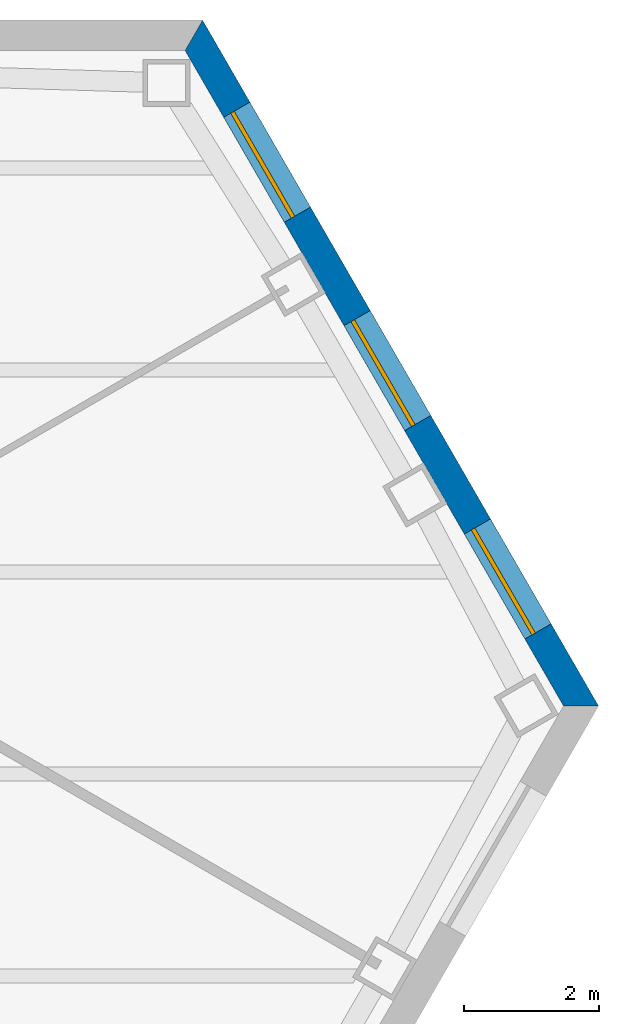
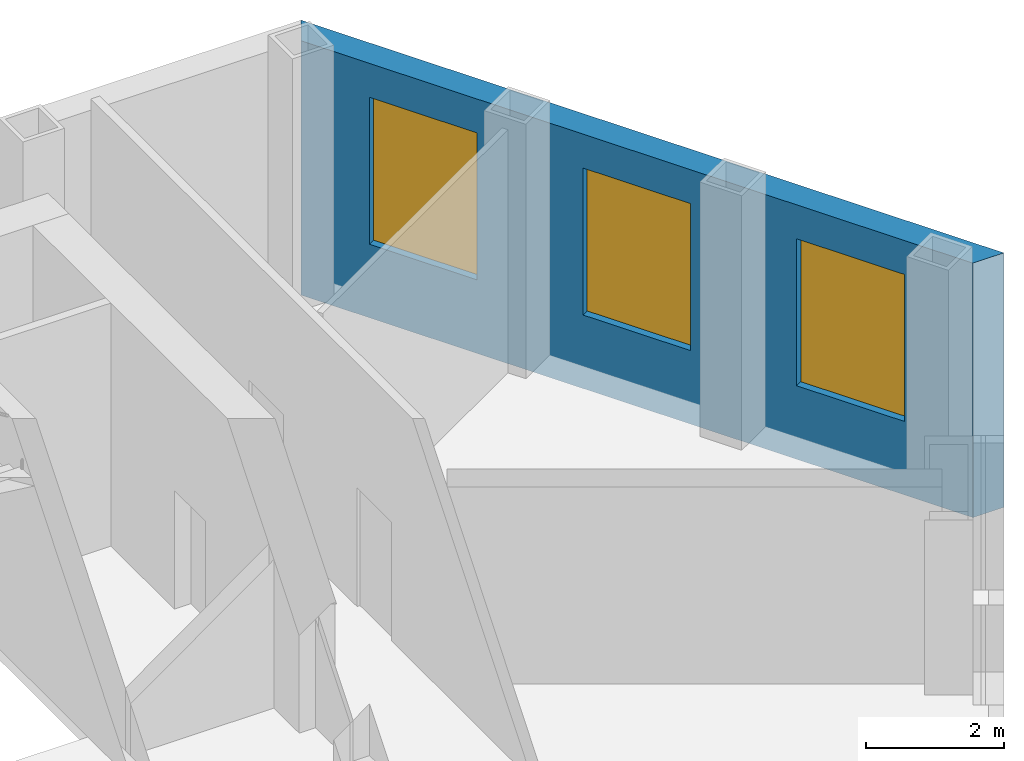
# One storey, part 8 of 11: 3 windows, 1 wall, 3 openings.
"""IFC4 building model written with IfcOpenShell, lengths in metres."""

from ifc_helpers import new_model, si_unit, direction, frame, frame_2d, origin, place, context, subcontext, project, spatial, polyline, rectangle, outline, extrude, material, layer, layer_set, type_object, element, fill, save


model = new_model("IFC4")

# Units and contexts
model_context = context("Model", 3, precision=1e-05, world=origin(), true_north=direction((0.0, 1.0)))
body_context = subcontext(model_context, "Body", "Model", "MODEL_VIEW")
ifc_project = project(units=[si_unit("LENGTHUNIT", "METRE"), si_unit("AREAUNIT", "SQUARE_METRE"), si_unit("VOLUMEUNIT", "CUBIC_METRE"), si_unit("PLANEANGLEUNIT", "RADIAN"), si_unit("MASSUNIT", "GRAM", prefix="KILO")], contexts=[model_context])

# Site, building, storey
site_placement = place(None, origin())
site = spatial("IfcSite", under=ifc_project, at=site_placement, CompositionType="ELEMENT")
building_placement = place(site_placement, origin())
building = spatial("IfcBuilding", under=site, at=building_placement, Name="Njiva Tower", CompositionType="ELEMENT")
storey_placement = place(building_placement, frame((0.0, 0.0, 37.8)))
storey = spatial("IfcBuildingStorey", under=building, at=storey_placement, Name="L07", CompositionType="ELEMENT", Elevation=37.8)

# Wall, openings, windows
ifc_material_1 = material(Name="Brick masonry, buff", Category="masonry")
ifc_layer = layer(ifc_material_1, 0.45)
ifc_layer_set = layer_set([ifc_layer], Name="Brick masonry, buff")
wall_type = type_object("IfcWallType", Name="WT94 Brick pier and spandrel wall 450, buff", PredefinedType="SOLIDWALL", material=ifc_layer_set)
wall_placement = place(storey_placement, frame((28.6214, 10.0134, -0.4), z_axis=(0.0, 0.0, 1.0), x_axis=(-0.500002460556, 0.866023983177, 0.0)))
wall = element("IfcWall", 1, at=wall_placement, inside=storey, type_object=wall_type, Name="Facade wall NE", PredefinedType="SOLIDWALL", context=body_context, shape_type="SweptSolid", body=[
    extrude(outline(polyline([(-0.1299, -0.225), (11.63, -0.225), (11.3702, 0.225), (0.1299, 0.225), (-0.1299, -0.225)])), origin(), (0.0, 0.0, 1.0), 4.5),
])
opening_1_placement = place(wall_placement, frame((1.2764, 0.0, 1.3)))
opening_1 = element("IfcOpeningElement", 2, at=opening_1_placement, cuts=wall, Name="Opening S02-W35", PredefinedType="OPENING", context=body_context, shape_type="SweptSolid", body=[
    extrude(rectangle(XDim=1.8, YDim=2.6, at=frame_2d((0.9, 1.3))), frame((0.0, 0.235, 0.0), z_axis=(0.0, -1.0, 0.0), x_axis=(1.0, 0.0, 0.0)), (0.0, 0.0, 1.0), 0.47),
])
opening_2_placement = place(wall_placement, frame((4.8501, 0.0, 1.3)))
opening_2 = element("IfcOpeningElement", 3, at=opening_2_placement, cuts=wall, Name="Opening S02-W36", PredefinedType="OPENING", context=body_context, shape_type="SweptSolid", body=[
    extrude(rectangle(XDim=1.8, YDim=2.6, at=frame_2d((0.9, 1.3))), frame((0.0, 0.235, 0.0), z_axis=(0.0, -1.0, 0.0), x_axis=(1.0, 0.0, 0.0)), (0.0, 0.0, 1.0), 0.47),
])
opening_3_placement = place(wall_placement, frame((8.4237, 0.0, 1.3)))
opening_3 = element("IfcOpeningElement", 4, at=opening_3_placement, cuts=wall, Name="Opening S02-W37", PredefinedType="OPENING", context=body_context, shape_type="SweptSolid", body=[
    extrude(rectangle(XDim=1.8, YDim=2.6, at=frame_2d((0.9, 1.3))), frame((0.0, 0.235, 0.0), z_axis=(0.0, -1.0, 0.0), x_axis=(1.0, 0.0, 0.0)), (0.0, 0.0, 1.0), 0.47),
])
ifc_material_2 = material(Name="Clear glazing in aluminium frame", Category="aluminium")
window_type = type_object("IfcWindowType", Name="W96 Deep-set window 1800x2600", PartitioningType="SINGLE_PANEL", PredefinedType="WINDOW", material=ifc_material_2)
window_1_placement = place(opening_1_placement, origin())
window_1 = element("IfcWindow", 5, at=window_1_placement, inside=storey, type_object=window_type, Name="Window", OverallHeight=2.6, OverallWidth=1.8, PartitioningType="SINGLE_PANEL", PredefinedType="WINDOW", context=body_context, shape_type="SweptSolid", body=[
    extrude(rectangle(XDim=1.8, YDim=2.6, at=frame_2d((0.9, 1.3))), frame((0.0, 0.105, 0.0), z_axis=(0.0, -1.0, 0.0), x_axis=(1.0, 0.0, 0.0)), (0.0, 0.0, 1.0), 0.06),
])
fill(opening_1, window_1)
window_2_placement = place(opening_2_placement, origin())
window_2 = element("IfcWindow", 6, at=window_2_placement, inside=storey, type_object=window_type, Name="Window", OverallHeight=2.6, OverallWidth=1.8, PartitioningType="SINGLE_PANEL", PredefinedType="WINDOW", context=body_context, shape_type="SweptSolid", body=[
    extrude(rectangle(XDim=1.8, YDim=2.6, at=frame_2d((0.9, 1.3))), frame((0.0, 0.105, 0.0), z_axis=(0.0, -1.0, 0.0), x_axis=(1.0, 0.0, 0.0)), (0.0, 0.0, 1.0), 0.06),
])
fill(opening_2, window_2)
window_3_placement = place(opening_3_placement, origin())
window_3 = element("IfcWindow", 7, at=window_3_placement, inside=storey, type_object=window_type, Name="Window", OverallHeight=2.6, OverallWidth=1.8, PartitioningType="SINGLE_PANEL", PredefinedType="WINDOW", context=body_context, shape_type="SweptSolid", body=[
    extrude(rectangle(XDim=1.8, YDim=2.6, at=frame_2d((0.9, 1.3))), frame((0.0, 0.105, 0.0), z_axis=(0.0, -1.0, 0.0), x_axis=(1.0, 0.0, 0.0)), (0.0, 0.0, 1.0), 0.06),
])
fill(opening_3, window_3)

save(model, "model.ifc")
